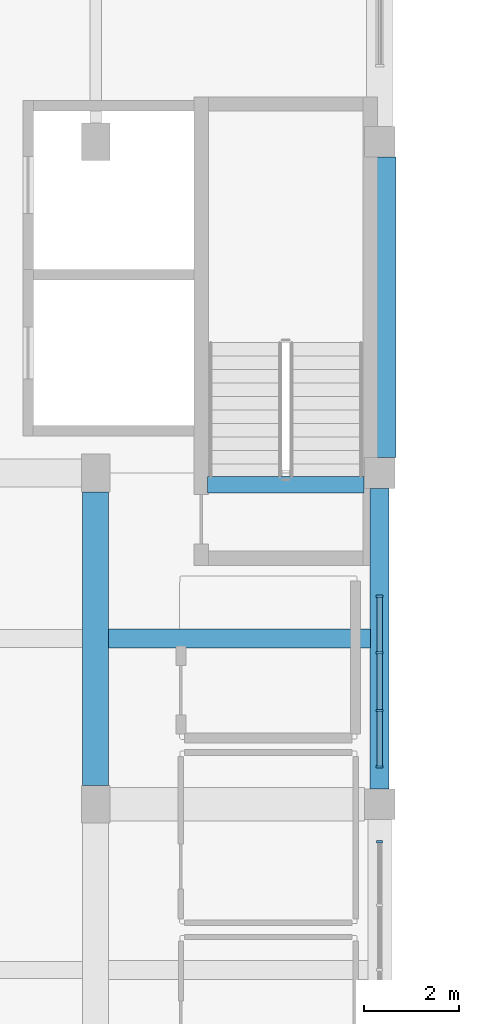
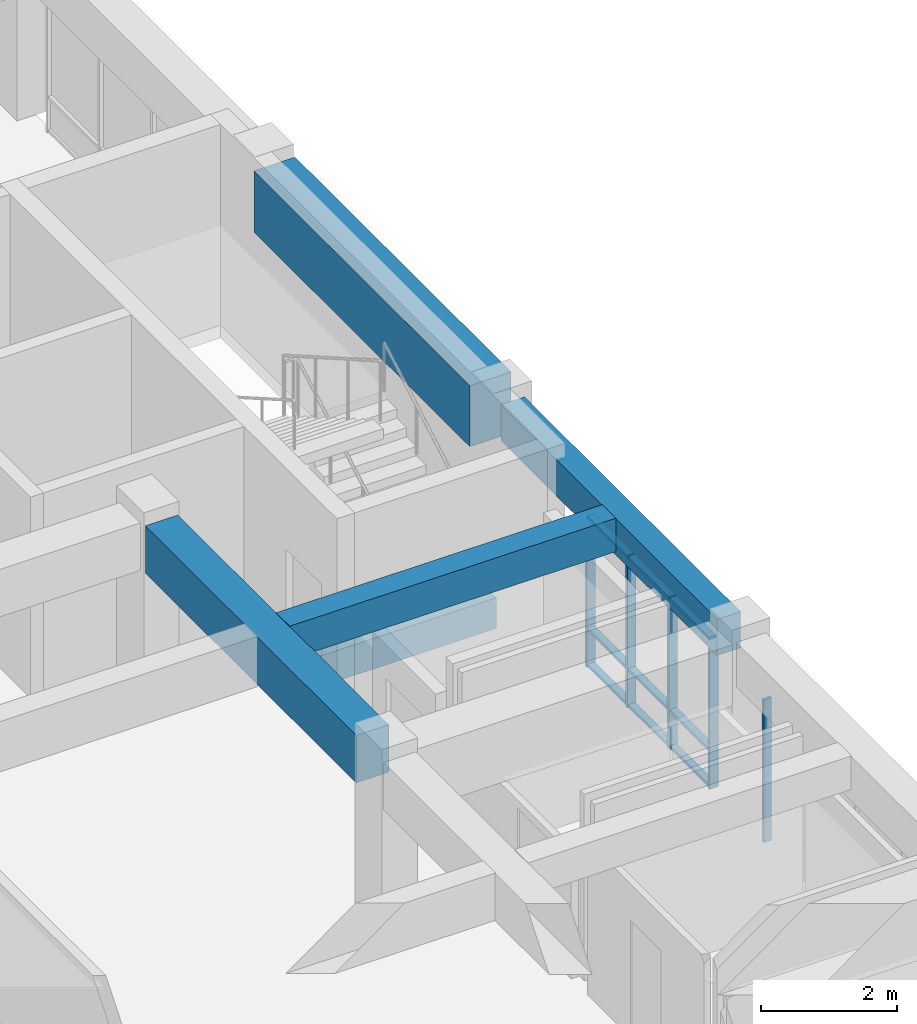
# One storey, part 39 of 77: 14 members, 5 beams, 2 elements without a shape of their own.
"""IFC4 building model written with IfcOpenShell, lengths in metres."""

from ifc_helpers import new_model, si_unit, direction, frame, origin, origin_2d, place, context, subcontext, project, spatial, rectangle, extrude, material, material_profile, profile_set, type_object, element, aggregate, save


model = new_model("IFC4")

# Units and contexts
model_context = context("Model", 3, precision=1e-05, world=origin(), true_north=direction((0.0, 1.0)))
body_context = subcontext(model_context, "Body", "Model", "MODEL_VIEW")
ifc_project = project(units=[si_unit("LENGTHUNIT", "METRE"), si_unit("AREAUNIT", "SQUARE_METRE"), si_unit("VOLUMEUNIT", "CUBIC_METRE"), si_unit("PLANEANGLEUNIT", "RADIAN"), si_unit("MASSUNIT", "GRAM", prefix="KILO")], contexts=[model_context])

# Site, building, storey
site_placement = place(None, origin())
site = spatial("IfcSite", under=ifc_project, at=site_placement, CompositionType="ELEMENT")
building_placement = place(site_placement, origin())
building = spatial("IfcBuilding", under=site, at=building_placement, Name="Larkveld Mobility Hub", CompositionType="ELEMENT")
storey_placement = place(building_placement, frame((0.0, 0.0, 12.0)))
storey = spatial("IfcBuildingStorey", under=building, at=storey_placement, Name="L03", CompositionType="ELEMENT", Elevation=12.0)

# Beams
ifc_material_1 = material(Name="Concrete C40/50", Category="concrete")
ifc_material_profile_1 = material_profile(ifc_material_1, rectangle(XDim=0.35009765625, YDim=0.550048828125, at=origin_2d()), Name="RC BM 350x550")
ifc_profile_set_1 = profile_set([ifc_material_profile_1], Name="Concrete C40/50")
beam_type_1 = type_object("IfcBeamType", Name="BM-RC3555", PredefinedType="BEAM", material=ifc_profile_set_1)
beam_1_placement = place(storey_placement, frame((148.360107421875, 55.75, -0.27001953125), z_axis=(1.0, 0.0, 0.0), x_axis=(0.0, 1.0, 0.0)))
element("IfcBeam", 1, at=beam_1_placement, inside=storey, type_object=beam_type_1, Name="Core C2 Stair Header Beam L03", PredefinedType="BEAM", context=body_context, shape_type="SweptSolid", body=[
    extrude(rectangle(XDim=0.35009765625, YDim=0.550048828125, at=origin_2d()), origin(), (0.0, 0.0, 1.0), 3.309814453125),
])
ifc_material_profile_2 = material_profile(ifc_material_1, rectangle(XDim=0.39990234375, YDim=0.60009765625, at=origin_2d()), Name="RC BM 400x600")
ifc_profile_set_2 = profile_set([ifc_material_profile_2], Name="Concrete C40/50")
beam_type_2 = type_object("IfcBeamType", Name="BM-RC4060", PredefinedType="BEAM", material=ifc_profile_set_2)
beam_2_placement = place(storey_placement, frame((146.27001953125, 52.5, 3.070068359375), z_axis=(1.0, 0.0, 0.0), x_axis=(0.0, 1.0, 0.0)))
element("IfcBeam", 2, at=beam_2_placement, inside=storey, type_object=beam_type_2, Name="Concourse Spine Joist L03-1115", PredefinedType="BEAM", context=body_context, shape_type="SweptSolid", body=[
    extrude(rectangle(XDim=0.39990234375, YDim=0.60009765625, at=origin_2d()), origin(), (0.0, 0.0, 1.0), 5.534912109375),
])
ifc_material_profile_3 = material_profile(ifc_material_1, rectangle(XDim=0.39990234375, YDim=0.64990234375, at=origin_2d()), Name="RC BM 400x650")
ifc_profile_set_3 = profile_set([ifc_material_profile_3], Name="Concrete C40/50")
beam_type_3 = type_object("IfcBeamType", Name="BM-RC4065", PredefinedType="BEAM", material=ifc_profile_set_3)
beam_3_placement = place(storey_placement, frame((152.0, 49.324951171875, 3.034912109375), z_axis=(0.0, 1.0, 0.0), x_axis=(-1.0, 0.0, 0.0)))
element("IfcBeam", 3, at=beam_3_placement, inside=storey, type_object=beam_type_3, Name="Primary N-S Girder L03-0840", PredefinedType="BEAM", context=body_context, shape_type="SweptSolid", body=[
    extrude(rectangle(XDim=0.39990234375, YDim=0.64990234375, at=origin_2d()), origin(), (0.0, 0.0, 1.0), 6.35009765625),
])
ifc_material_profile_4 = material_profile(ifc_material_1, rectangle(XDim=0.550048828125, YDim=0.85009765625, at=origin_2d()), Name="RC BM 550x850")
ifc_profile_set_4 = profile_set([ifc_material_profile_4], Name="Concrete C40/50")
beam_type_4 = type_object("IfcBeamType", Name="BM-RC5585", PredefinedType="BEAM", material=ifc_profile_set_4)
beam_4_placement = place(storey_placement, frame((146.0, 49.39990234375, 2.93505859375), z_axis=(0.0, 1.0, 0.0), x_axis=(-1.0, 0.0, 0.0)))
element("IfcBeam", 4, at=beam_4_placement, inside=storey, type_object=beam_type_4, Name="Primary N-S Girder L03-0829", PredefinedType="BEAM", context=body_context, shape_type="SweptSolid", body=[
    extrude(rectangle(XDim=0.550048828125, YDim=0.85009765625, at=origin_2d()), origin(), (0.0, 0.0, 1.0), 6.2001953125),
])
ifc_material_profile_5 = material_profile(ifc_material_1, rectangle(XDim=0.699951171875, YDim=1.10009765625, at=origin_2d()), Name="RC BM 700x1100")
ifc_profile_set_5 = profile_set([ifc_material_profile_5], Name="Concrete C40/50")
beam_type_5 = type_object("IfcBeamType", Name="BM-RC70110", PredefinedType="BEAM", material=ifc_profile_set_5)
beam_5_placement = place(storey_placement, frame((152.0, 56.324951171875, 2.81005859375), z_axis=(0.0, 1.0, 0.0), x_axis=(-1.0, 0.0, 0.0)))
element("IfcBeam", 5, at=beam_5_placement, inside=storey, type_object=beam_type_5, Name="Primary N-S Girder L03-0841", PredefinedType="BEAM", context=body_context, shape_type="SweptSolid", body=[
    extrude(rectangle(XDim=0.699951171875, YDim=1.10009765625, at=origin_2d()), origin(), (0.0, 0.0, 1.0), 6.35009765625),
])

# Curtain wall, members
ifc_material_2 = material(Name="Anodised aluminium 6063-T6", Category="aluminium")
curtain_wall_type_1 = type_object("IfcCurtainWallType", Name="CW-SYS-05", PredefinedType="NOTDEFINED", material=ifc_material_2)
curtain_wall_1_placement = place(storey_placement, origin())
curtain_wall_1 = element("IfcCurtainWall", 6, at=curtain_wall_1_placement, inside=storey, type_object=curtain_wall_type_1, Name="Upper Mobility and Sports East Glazing L03 CW-149", PredefinedType="NOTDEFINED")
ifc_material_profile_6 = material_profile(ifc_material_2, rectangle(XDim=0.050048828125, YDim=0.14990234375, at=origin_2d()), Name="ALU MULL 50x150")
ifc_profile_set_6 = profile_set([ifc_material_profile_6], Name="Anodised aluminium 6063-T6")
member_type_1 = type_object("IfcMemberType", Name="CW-MUL-01", PredefinedType="MULLION", material=ifc_profile_set_6)
member_1_placement = place(storey_placement, frame((152.0, 49.7900390625, -0.001953125), z_axis=(0.0, 0.0, 1.0), x_axis=(0.0, 1.0, 0.0)))
member_1 = element("IfcMember", 7, at=member_1_placement, type_object=member_type_1, Name="CW05 mullion 1", PredefinedType="MULLION", context=body_context, shape_type="SweptSolid", body=[
    extrude(rectangle(XDim=0.050048828125, YDim=0.14990234375, at=origin_2d()), origin(), (0.0, 0.0, 1.0), 2.7119140625),
])
member_2_placement = place(storey_placement, frame((152.0, 50.98291015625, -0.001953125), z_axis=(0.0, 0.0, 1.0), x_axis=(0.0, 1.0, 0.0)))
member_2 = element("IfcMember", 8, at=member_2_placement, type_object=member_type_1, Name="CW05 mullion 2", PredefinedType="MULLION", context=body_context, shape_type="SweptSolid", body=[
    extrude(rectangle(XDim=0.050048828125, YDim=0.14990234375, at=origin_2d()), origin(), (0.0, 0.0, 1.0), 2.7119140625),
])
member_3_placement = place(storey_placement, frame((152.0, 52.201904296875, -0.001953125), z_axis=(0.0, 0.0, 1.0), x_axis=(0.0, 1.0, 0.0)))
member_3 = element("IfcMember", 9, at=member_3_placement, type_object=member_type_1, Name="CW05 mullion 3", PredefinedType="MULLION", context=body_context, shape_type="SweptSolid", body=[
    extrude(rectangle(XDim=0.050048828125, YDim=0.14990234375, at=origin_2d()), origin(), (0.0, 0.0, 1.0), 2.7119140625),
])
member_4_placement = place(storey_placement, frame((152.0, 53.39501953125, -0.001953125), z_axis=(0.0, 0.0, 1.0), x_axis=(0.0, 1.0, 0.0)))
member_4 = element("IfcMember", 10, at=member_4_placement, type_object=member_type_1, Name="CW05 mullion 4", PredefinedType="MULLION", context=body_context, shape_type="SweptSolid", body=[
    extrude(rectangle(XDim=0.050048828125, YDim=0.14990234375, at=origin_2d()), origin(), (0.0, 0.0, 1.0), 2.7119140625),
])

# Curtain wall, member
curtain_wall_type_2 = type_object("IfcCurtainWallType", Name="CW-SYS-04", PredefinedType="NOTDEFINED", material=ifc_material_2)
curtain_wall_2_placement = place(storey_placement, origin())
curtain_wall_2 = element("IfcCurtainWall", 11, at=curtain_wall_2_placement, inside=storey, type_object=curtain_wall_type_2, Name="Upper Mobility and Sports East Glazing L03 CW-148", PredefinedType="NOTDEFINED")
ifc_material_profile_7 = material_profile(ifc_material_2, rectangle(XDim=0.050048828125, YDim=0.1298828125, at=origin_2d()), Name="ALU MULL 50x130")
ifc_profile_set_7 = profile_set([ifc_material_profile_7], Name="Anodised aluminium 6063-T6")
member_type_2 = type_object("IfcMemberType", Name="CW-MUL-04", PredefinedType="MULLION", material=ifc_profile_set_7)
member_5_placement = place(storey_placement, frame((152.0, 48.2099609375, -0.001953125), z_axis=(0.0, 0.0, 1.0), x_axis=(0.0, 1.0, 0.0)))
member_5 = element("IfcMember", 12, at=member_5_placement, type_object=member_type_2, Name="CW04 mullion 5", PredefinedType="MULLION", context=body_context, shape_type="SweptSolid", body=[
    extrude(rectangle(XDim=0.050048828125, YDim=0.1298828125, at=origin_2d()), origin(), (0.0, 0.0, 1.0), 2.56201171875),
])
aggregate(curtain_wall_2, [member_5])

# Member
ifc_material_profile_8 = material_profile(ifc_material_2, rectangle(XDim=0.1201171875, YDim=0.050048828125, at=origin_2d()), Name="ALU TRAN 50x120")
ifc_profile_set_8 = profile_set([ifc_material_profile_8], Name="Anodised aluminium 6063-T6")
member_type_3 = type_object("IfcMemberType", Name="CW-TRN-01", PredefinedType="USERDEFINED", material=ifc_profile_set_8)
member_6_placement = place(storey_placement, frame((152.0, 49.800048828125, 0.030029296875), z_axis=(0.0, 1.0, 0.0), x_axis=(-1.0, 0.0, 0.0)))
member_6 = element("IfcMember", 13, at=member_6_placement, type_object=member_type_3, Name="CW05 transom 1.1", ObjectType="TRANSOM", PredefinedType="USERDEFINED", context=body_context, shape_type="SweptSolid", body=[
    extrude(rectangle(XDim=0.1201171875, YDim=0.050048828125, at=origin_2d()), origin(), (0.0, 0.0, 1.0), 1.16796875),
])

member_7_placement = place(storey_placement, frame((152.0, 49.800048828125, 0.677001953125), z_axis=(0.0, 1.0, 0.0), x_axis=(-1.0, 0.0, 0.0)))
member_7 = element("IfcMember", 14, at=member_7_placement, type_object=member_type_3, Name="CW05 transom 1.2", ObjectType="TRANSOM", PredefinedType="USERDEFINED", context=body_context, shape_type="SweptSolid", body=[
    extrude(rectangle(XDim=0.1201171875, YDim=0.050048828125, at=origin_2d()), origin(), (0.0, 0.0, 1.0), 1.16796875),
])

member_8_placement = place(storey_placement, frame((152.0, 49.800048828125, 2.677978515625), z_axis=(0.0, 1.0, 0.0), x_axis=(-1.0, 0.0, 0.0)))
member_8 = element("IfcMember", 15, at=member_8_placement, type_object=member_type_3, Name="CW05 transom 1.3", ObjectType="TRANSOM", PredefinedType="USERDEFINED", context=body_context, shape_type="SweptSolid", body=[
    extrude(rectangle(XDim=0.1201171875, YDim=0.050048828125, at=origin_2d()), origin(), (0.0, 0.0, 1.0), 1.16796875),
])

member_9_placement = place(storey_placement, frame((152.0, 50.998046875, 0.030029296875), z_axis=(0.0, 1.0, 0.0), x_axis=(-1.0, 0.0, 0.0)))
member_9 = element("IfcMember", 16, at=member_9_placement, type_object=member_type_3, Name="CW05 transom 2.1", ObjectType="TRANSOM", PredefinedType="USERDEFINED", context=body_context, shape_type="SweptSolid", body=[
    extrude(rectangle(XDim=0.1201171875, YDim=0.050048828125, at=origin_2d()), origin(), (0.0, 0.0, 1.0), 1.18896484375),
])

member_10_placement = place(storey_placement, frame((152.0, 50.998046875, 0.677001953125), z_axis=(0.0, 1.0, 0.0), x_axis=(-1.0, 0.0, 0.0)))
member_10 = element("IfcMember", 17, at=member_10_placement, type_object=member_type_3, Name="CW05 transom 2.2", ObjectType="TRANSOM", PredefinedType="USERDEFINED", context=body_context, shape_type="SweptSolid", body=[
    extrude(rectangle(XDim=0.1201171875, YDim=0.050048828125, at=origin_2d()), origin(), (0.0, 0.0, 1.0), 1.18896484375),
])

member_11_placement = place(storey_placement, frame((152.0, 50.998046875, 2.677978515625), z_axis=(0.0, 1.0, 0.0), x_axis=(-1.0, 0.0, 0.0)))
member_11 = element("IfcMember", 18, at=member_11_placement, type_object=member_type_3, Name="CW05 transom 2.3", ObjectType="TRANSOM", PredefinedType="USERDEFINED", context=body_context, shape_type="SweptSolid", body=[
    extrude(rectangle(XDim=0.1201171875, YDim=0.050048828125, at=origin_2d()), origin(), (0.0, 0.0, 1.0), 1.18896484375),
])

member_12_placement = place(storey_placement, frame((152.0, 52.217041015625, 0.030029296875), z_axis=(0.0, 1.0, 0.0), x_axis=(-1.0, 0.0, 0.0)))
member_12 = element("IfcMember", 19, at=member_12_placement, type_object=member_type_3, Name="CW05 transom 3.1", ObjectType="TRANSOM", PredefinedType="USERDEFINED", context=body_context, shape_type="SweptSolid", body=[
    extrude(rectangle(XDim=0.1201171875, YDim=0.050048828125, at=origin_2d()), origin(), (0.0, 0.0, 1.0), 1.16796875),
])

member_13_placement = place(storey_placement, frame((152.0, 52.217041015625, 0.677001953125), z_axis=(0.0, 1.0, 0.0), x_axis=(-1.0, 0.0, 0.0)))
member_13 = element("IfcMember", 20, at=member_13_placement, type_object=member_type_3, Name="CW05 transom 3.2", ObjectType="TRANSOM", PredefinedType="USERDEFINED", context=body_context, shape_type="SweptSolid", body=[
    extrude(rectangle(XDim=0.1201171875, YDim=0.050048828125, at=origin_2d()), origin(), (0.0, 0.0, 1.0), 1.16796875),
])

member_14_placement = place(storey_placement, frame((152.0, 52.217041015625, 2.677978515625), z_axis=(0.0, 1.0, 0.0), x_axis=(-1.0, 0.0, 0.0)))
member_14 = element("IfcMember", 21, at=member_14_placement, type_object=member_type_3, Name="CW05 transom 3.3", ObjectType="TRANSOM", PredefinedType="USERDEFINED", context=body_context, shape_type="SweptSolid", body=[
    extrude(rectangle(XDim=0.1201171875, YDim=0.050048828125, at=origin_2d()), origin(), (0.0, 0.0, 1.0), 1.16796875),
])

aggregate(curtain_wall_1, [member_1, member_2, member_3, member_4, member_6, member_7, member_8, member_9, member_10, member_11, member_12, member_13, member_14])

save(model, "model.ifc")
